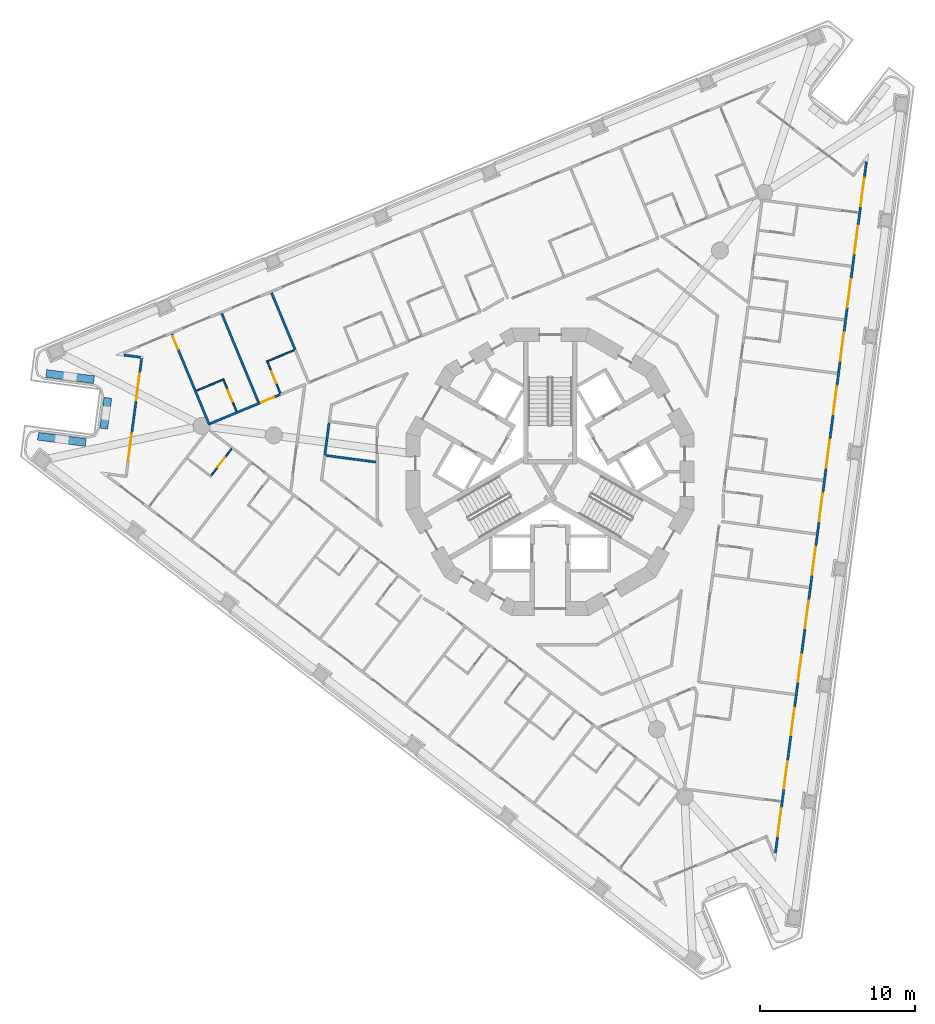
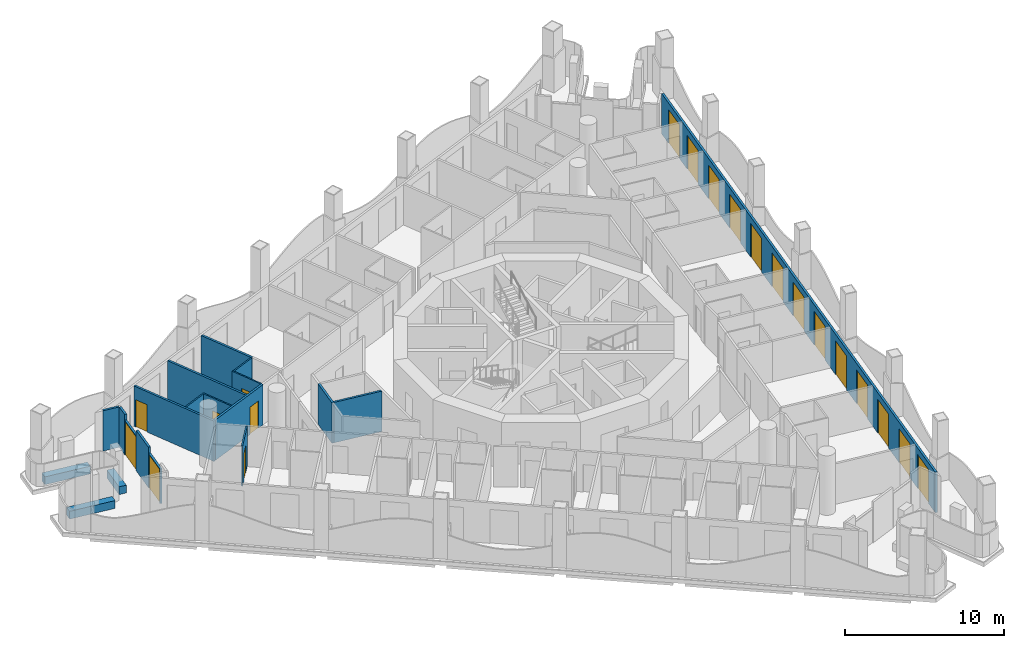
# One storey, part 6 of 17: 20 doors, 20 walls, 20 openings.
"""IFC4 building model written with IfcOpenShell, lengths in metres."""

from ifc_helpers import new_model, si_unit, direction, frame, frame_2d, origin, place, context, subcontext, project, spatial, polyline, rectangle, outline, extrude, material, layer, layer_set, type_object, element, fill, save


model = new_model("IFC4")

# Units and contexts
model_context = context("Model", 3, precision=1e-05, world=origin(), true_north=direction((0.0, 1.0)))
body_context = subcontext(model_context, "Body", "Model", "MODEL_VIEW")
ifc_project = project(units=[si_unit("LENGTHUNIT", "METRE"), si_unit("AREAUNIT", "SQUARE_METRE"), si_unit("VOLUMEUNIT", "CUBIC_METRE"), si_unit("PLANEANGLEUNIT", "RADIAN"), si_unit("MASSUNIT", "GRAM", prefix="KILO")], contexts=[model_context])

# Site, building, storey
site_placement = place(None, origin())
site = spatial("IfcSite", under=ifc_project, at=site_placement, CompositionType="ELEMENT")
building_placement = place(site_placement, origin())
building = spatial("IfcBuilding", under=site, at=building_placement, Name="Trine Commons Tower", CompositionType="ELEMENT")
storey_placement = place(building_placement, frame((0.0, 0.0, 153.0)))
storey = spatial("IfcBuildingStorey", under=building, at=storey_placement, Name="L39", CompositionType="ELEMENT", Elevation=153.0)

# Wall, opening, door
ifc_material_1 = material(Name="Aluminium-framed insulated wall panel", Category="aluminium")
ifc_layer_1 = layer(ifc_material_1, 0.14990234375)
ifc_layer_set_1 = layer_set([ifc_layer_1], Name="Aluminium-framed insulated wall panel")
wall_type_1 = type_object("IfcWallType", Name="Glazed frame wall 150, EI 60", PredefinedType="SOLIDWALL", material=ifc_layer_set_1)
wall_1_placement = place(storey_placement, frame((52.811279296875, 63.154296875, 0.0), z_axis=(0.0, 0.0, 1.0), x_axis=(0.130547578832, 0.991442045538, 0.0)))
wall_1 = element("IfcWall", 1, at=wall_1_placement, inside=storey, type_object=wall_type_1, Name="Glazed frame wall P1.2", PredefinedType="SOLIDWALL", context=body_context, shape_type="SweptSolid", body=[
    extrude(outline(polyline([(0.0, -0.074951171875), (1.89990234375, -0.074951171875), (1.89990234375, 0.074951171875), (0.0, 0.074951171875), (0.0, -0.074951171875)])), origin(), (0.0, 0.0, 1.0), 2.64990234375),
])
opening_1_placement = place(wall_1_placement, frame((0.050048828125, 0.0, 0.0)))
opening_1 = element("IfcOpeningElement", 2, at=opening_1_placement, cuts=wall_1, Name="Opening BD-4P1-01", PredefinedType="OPENING", context=body_context, shape_type="SweptSolid", body=[
    extrude(rectangle(XDim=1.800048828125, YDim=2.60009765625, at=frame_2d((0.89990234375, 1.300048828125))), frame((0.0, 0.0849609375, 0.0), z_axis=(0.0, -1.0, 0.0), x_axis=(1.0, 0.0, 0.0)), (0.0, 0.0, 1.0), 0.169921875),
])
ifc_material_2 = material(Name="Anodised aluminium frame with double glazing", Category="aluminium")
door_type_1 = type_object("IfcDoorType", Name="Sliding loggia door 1800x2600", OperationType="SLIDING_TO_LEFT", PredefinedType="DOOR", material=ifc_material_2)
door_1_placement = place(opening_1_placement, origin())
door_1 = element("IfcDoor", 3, at=door_1_placement, inside=storey, type_object=door_type_1, Name="Loggia door P1 1", OperationType="SLIDING_TO_LEFT", OverallHeight=2.60009765625, OverallWidth=1.800048828125, PredefinedType="DOOR", context=body_context, shape_type="SweptSolid", body=[
    extrude(rectangle(XDim=1.800048828125, YDim=2.60009765625, at=frame_2d((0.89990234375, 1.300048828125))), frame((0.0, 0.02490234375, 0.0), z_axis=(0.0, -1.0, 0.0), x_axis=(1.0, 0.0, 0.0)), (0.0, 0.0, 1.0), 0.050048828125),
])
fill(opening_1, door_1)

# Wall
wall_2_placement = place(storey_placement, frame((53.059326171875, 65.0380859375, 0.0), z_axis=(0.0, 0.0, 1.0), x_axis=(0.130492404742, 0.991449308994, 0.0)))
element("IfcWall", 4, at=wall_2_placement, inside=storey, type_object=wall_type_1, Name="Glazed frame wall P1.3", PredefinedType="SOLIDWALL", context=body_context, shape_type="SweptSolid", body=[
    extrude(outline(polyline([(0.0, -0.074951171875), (2.0, -0.074951171875), (2.0, 0.074951171875), (0.0, 0.074951171875), (0.0, -0.074951171875)])), origin(), (0.0, 0.0, 1.0), 3.10009765625),
])

# Wall, opening, door
wall_3_placement = place(storey_placement, frame((53.3203125, 67.02099609375, 0.0), z_axis=(0.0, 0.0, 1.0), x_axis=(0.130547578832, 0.991442045538, 0.0)))
wall_3 = element("IfcWall", 5, at=wall_3_placement, inside=storey, type_object=wall_type_1, Name="Glazed frame wall P1.4", PredefinedType="SOLIDWALL", context=body_context, shape_type="SweptSolid", body=[
    extrude(outline(polyline([(0.0, -0.074951171875), (1.89990234375, -0.074951171875), (1.89990234375, 0.074951171875), (0.0, 0.074951171875), (0.0, -0.074951171875)])), origin(), (0.0, 0.0, 1.0), 2.64990234375),
])
opening_2_placement = place(wall_3_placement, frame((0.050048828125, 0.0, 0.0)))
opening_2 = element("IfcOpeningElement", 6, at=opening_2_placement, cuts=wall_3, Name="Opening BD-4P1-02", PredefinedType="OPENING", context=body_context, shape_type="SweptSolid", body=[
    extrude(rectangle(XDim=1.800048828125, YDim=2.60009765625, at=frame_2d((0.89990234375, 1.300048828125))), frame((0.0, 0.0849609375, 0.0), z_axis=(0.0, -1.0, 0.0), x_axis=(1.0, 0.0, 0.0)), (0.0, 0.0, 1.0), 0.169921875),
])
door_2_placement = place(opening_2_placement, origin())
door_2 = element("IfcDoor", 7, at=door_2_placement, inside=storey, type_object=door_type_1, Name="Loggia door P1 2", OperationType="SLIDING_TO_LEFT", OverallHeight=2.60009765625, OverallWidth=1.800048828125, PredefinedType="DOOR", context=body_context, shape_type="SweptSolid", body=[
    extrude(rectangle(XDim=1.800048828125, YDim=2.60009765625, at=frame_2d((0.89990234375, 1.300048828125))), frame((0.0, 0.02490234375, 0.0), z_axis=(0.0, -1.0, 0.0), x_axis=(1.0, 0.0, 0.0)), (0.0, 0.0, 1.0), 0.050048828125),
])
fill(opening_2, door_2)

# Walls
wall_4_placement = place(storey_placement, frame((53.568359375, 68.90478515625, 0.0), z_axis=(0.0, 0.0, 1.0), x_axis=(0.130612392842, 0.991433509034, 0.0)))
element("IfcWall", 8, at=wall_4_placement, inside=storey, type_object=wall_type_1, Name="Glazed frame wall P1.5", PredefinedType="SOLIDWALL", context=body_context, shape_type="SweptSolid", body=[
    extrude(outline(polyline([(0.889892578125, 0.074951171875), (0.0, 0.074951171875), (0.0, -0.074951171875), (0.889892578125, -0.074951171875), (0.889892578125, 0.074951171875)])), origin(), (0.0, 0.0, 1.0), 3.10009765625),
])
wall_5_placement = place(storey_placement, frame((53.72900390625, 69.85693359375, 0.0), z_axis=(0.0, 0.0, 1.0), x_axis=(-0.991446880033, 0.130510858064, 0.0)))
element("IfcWall", 9, at=wall_5_placement, inside=storey, type_object=wall_type_1, Name="Glazed frame wall R3", PredefinedType="SOLIDWALL", context=body_context, shape_type="SweptSolid", body=[
    extrude(outline(polyline([(0.110107421875, 0.074951171875), (0.110107421875, -0.074951171875), (1.19580078125, -0.074951171875), (1.19580078125, 0.074951171875), (0.110107421875, 0.074951171875)])), origin(), (0.0, 0.0, 1.0), 3.10009765625),
])

# Wall, openings, doors
wall_6_placement = place(storey_placement, frame((100.387939453125, 82.614013671875, 0.0), z_axis=(0.0, 0.0, 1.0), x_axis=(-0.130522128443, -0.991445396372, 0.0)))
wall_6 = element("IfcWall", 10, at=wall_6_placement, inside=storey, type_object=wall_type_1, Name="Glazed frame wall F2", PredefinedType="SOLIDWALL", context=body_context, shape_type="SweptSolid", body=[
    extrude(outline(polyline([(0.1494140625, 0.074951171875), (0.1494140625, -0.074951171875), (45.056884765625, -0.074951171875), (45.056884765625, 0.074951171875), (0.1494140625, 0.074951171875)])), origin(), (0.0, 0.0, 1.0), 3.10009765625),
])
opening_3_placement = place(wall_6_placement, frame((1.23876953125, 0.0, 0.0)))
opening_3 = element("IfcOpeningElement", 11, at=opening_3_placement, cuts=wall_6, Name="Opening BD-4F2-01", PredefinedType="OPENING", context=body_context, shape_type="SweptSolid", body=[
    extrude(rectangle(XDim=1.800048828125, YDim=2.60009765625, at=frame_2d((0.89990234375, 1.300048828125))), frame((0.0, 0.0849609375, 0.0), z_axis=(0.0, -1.0, 0.0), x_axis=(1.0, 0.0, 0.0)), (0.0, 0.0, 1.0), 0.169921875),
])
opening_4_placement = place(wall_6_placement, frame((4.316162109375, 0.0, 0.0)))
opening_4 = element("IfcOpeningElement", 12, at=opening_4_placement, cuts=wall_6, Name="Opening BD-4F2-02", PredefinedType="OPENING", context=body_context, shape_type="SweptSolid", body=[
    extrude(rectangle(XDim=1.800048828125, YDim=2.60009765625, at=frame_2d((0.89990234375, 1.300048828125))), frame((0.0, 0.0849609375, 0.0), z_axis=(0.0, -1.0, 0.0), x_axis=(1.0, 0.0, 0.0)), (0.0, 0.0, 1.0), 0.169921875),
])
opening_5_placement = place(wall_6_placement, frame((7.79345703125, 0.0, 0.0)))
opening_5 = element("IfcOpeningElement", 13, at=opening_5_placement, cuts=wall_6, Name="Opening BD-4F2-03", PredefinedType="OPENING", context=body_context, shape_type="SweptSolid", body=[
    extrude(rectangle(XDim=1.800048828125, YDim=2.60009765625, at=frame_2d((0.89990234375, 1.300048828125))), frame((0.0, 0.0849609375, 0.0), z_axis=(0.0, -1.0, 0.0), x_axis=(1.0, 0.0, 0.0)), (0.0, 0.0, 1.0), 0.169921875),
])
opening_6_placement = place(wall_6_placement, frame((11.27099609375, 0.0, 0.0)))
opening_6 = element("IfcOpeningElement", 14, at=opening_6_placement, cuts=wall_6, Name="Opening BD-4F2-04", PredefinedType="OPENING", context=body_context, shape_type="SweptSolid", body=[
    extrude(rectangle(XDim=1.800048828125, YDim=2.60009765625, at=frame_2d((0.89990234375, 1.300048828125))), frame((0.0, 0.0849609375, 0.0), z_axis=(0.0, -1.0, 0.0), x_axis=(1.0, 0.0, 0.0)), (0.0, 0.0, 1.0), 0.169921875),
])
opening_7_placement = place(wall_6_placement, frame((14.748291015625, 0.0, 0.0)))
opening_7 = element("IfcOpeningElement", 15, at=opening_7_placement, cuts=wall_6, Name="Opening BD-4F2-05", PredefinedType="OPENING", context=body_context, shape_type="SweptSolid", body=[
    extrude(rectangle(XDim=1.800048828125, YDim=2.60009765625, at=frame_2d((0.89990234375, 1.300048828125))), frame((0.0, 0.0849609375, 0.0), z_axis=(0.0, -1.0, 0.0), x_axis=(1.0, 0.0, 0.0)), (0.0, 0.0, 1.0), 0.169921875),
])
opening_8_placement = place(wall_6_placement, frame((18.2255859375, 0.0, 0.0)))
opening_8 = element("IfcOpeningElement", 16, at=opening_8_placement, cuts=wall_6, Name="Opening BD-4F2-06", PredefinedType="OPENING", context=body_context, shape_type="SweptSolid", body=[
    extrude(rectangle(XDim=1.800048828125, YDim=2.60009765625, at=frame_2d((0.89990234375, 1.300048828125))), frame((0.0, 0.0849609375, 0.0), z_axis=(0.0, -1.0, 0.0), x_axis=(1.0, 0.0, 0.0)), (0.0, 0.0, 1.0), 0.169921875),
])
opening_9_placement = place(wall_6_placement, frame((21.703125, 0.0, 0.0)))
opening_9 = element("IfcOpeningElement", 17, at=opening_9_placement, cuts=wall_6, Name="Opening BD-4F2-07", PredefinedType="OPENING", context=body_context, shape_type="SweptSolid", body=[
    extrude(rectangle(XDim=1.800048828125, YDim=2.60009765625, at=frame_2d((0.89990234375, 1.300048828125))), frame((0.0, 0.0849609375, 0.0), z_axis=(0.0, -1.0, 0.0), x_axis=(1.0, 0.0, 0.0)), (0.0, 0.0, 1.0), 0.169921875),
])
opening_10_placement = place(wall_6_placement, frame((25.180419921875, 0.0, 0.0)))
opening_10 = element("IfcOpeningElement", 18, at=opening_10_placement, cuts=wall_6, Name="Opening BD-4F2-08", PredefinedType="OPENING", context=body_context, shape_type="SweptSolid", body=[
    extrude(rectangle(XDim=1.800048828125, YDim=2.60009765625, at=frame_2d((0.89990234375, 1.300048828125))), frame((0.0, 0.0849609375, 0.0), z_axis=(0.0, -1.0, 0.0), x_axis=(1.0, 0.0, 0.0)), (0.0, 0.0, 1.0), 0.169921875),
])
opening_11_placement = place(wall_6_placement, frame((28.657958984375, 0.0, 0.0)))
opening_11 = element("IfcOpeningElement", 19, at=opening_11_placement, cuts=wall_6, Name="Opening BD-4F2-09", PredefinedType="OPENING", context=body_context, shape_type="SweptSolid", body=[
    extrude(rectangle(XDim=1.800048828125, YDim=2.60009765625, at=frame_2d((0.89990234375, 1.300048828125))), frame((0.0, 0.0849609375, 0.0), z_axis=(0.0, -1.0, 0.0), x_axis=(1.0, 0.0, 0.0)), (0.0, 0.0, 1.0), 0.169921875),
])
opening_12_placement = place(wall_6_placement, frame((32.13525390625, 0.0, 0.0)))
opening_12 = element("IfcOpeningElement", 20, at=opening_12_placement, cuts=wall_6, Name="Opening BD-4F2-10", PredefinedType="OPENING", context=body_context, shape_type="SweptSolid", body=[
    extrude(rectangle(XDim=1.800048828125, YDim=2.60009765625, at=frame_2d((0.89990234375, 1.300048828125))), frame((0.0, 0.0849609375, 0.0), z_axis=(0.0, -1.0, 0.0), x_axis=(1.0, 0.0, 0.0)), (0.0, 0.0, 1.0), 0.169921875),
])
opening_13_placement = place(wall_6_placement, frame((35.61279296875, 0.0, 0.0)))
opening_13 = element("IfcOpeningElement", 21, at=opening_13_placement, cuts=wall_6, Name="Opening BD-4F2-11", PredefinedType="OPENING", context=body_context, shape_type="SweptSolid", body=[
    extrude(rectangle(XDim=1.800048828125, YDim=2.60009765625, at=frame_2d((0.89990234375, 1.300048828125))), frame((0.0, 0.0849609375, 0.0), z_axis=(0.0, -1.0, 0.0), x_axis=(1.0, 0.0, 0.0)), (0.0, 0.0, 1.0), 0.169921875),
])
opening_14_placement = place(wall_6_placement, frame((39.090087890625, 0.0, 0.0)))
opening_14 = element("IfcOpeningElement", 22, at=opening_14_placement, cuts=wall_6, Name="Opening BD-4F2-12", PredefinedType="OPENING", context=body_context, shape_type="SweptSolid", body=[
    extrude(rectangle(XDim=1.800048828125, YDim=2.60009765625, at=frame_2d((0.89990234375, 1.300048828125))), frame((0.0, 0.0849609375, 0.0), z_axis=(0.0, -1.0, 0.0), x_axis=(1.0, 0.0, 0.0)), (0.0, 0.0, 1.0), 0.169921875),
])
opening_15_placement = place(wall_6_placement, frame((42.16748046875, 0.0, 0.0)))
opening_15 = element("IfcOpeningElement", 23, at=opening_15_placement, cuts=wall_6, Name="Opening BD-4F2-13", PredefinedType="OPENING", context=body_context, shape_type="SweptSolid", body=[
    extrude(rectangle(XDim=1.800048828125, YDim=2.60009765625, at=frame_2d((0.89990234375, 1.300048828125))), frame((0.0, 0.0849609375, 0.0), z_axis=(0.0, -1.0, 0.0), x_axis=(1.0, 0.0, 0.0)), (0.0, 0.0, 1.0), 0.169921875),
])
door_3_placement = place(opening_3_placement, origin())
door_3 = element("IfcDoor", 24, at=door_3_placement, inside=storey, type_object=door_type_1, Name="Loggia door F2 1", OperationType="SLIDING_TO_LEFT", OverallHeight=2.60009765625, OverallWidth=1.800048828125, PredefinedType="DOOR", context=body_context, shape_type="SweptSolid", body=[
    extrude(rectangle(XDim=1.800048828125, YDim=2.60009765625, at=frame_2d((0.89990234375, 1.300048828125))), frame((0.0, 0.02490234375, 0.0), z_axis=(0.0, -1.0, 0.0), x_axis=(1.0, 0.0, 0.0)), (0.0, 0.0, 1.0), 0.050048828125),
])
fill(opening_3, door_3)
door_4_placement = place(opening_4_placement, origin())
door_4 = element("IfcDoor", 25, at=door_4_placement, inside=storey, type_object=door_type_1, Name="Loggia door F2 2", OperationType="SLIDING_TO_LEFT", OverallHeight=2.60009765625, OverallWidth=1.800048828125, PredefinedType="DOOR", context=body_context, shape_type="SweptSolid", body=[
    extrude(rectangle(XDim=1.800048828125, YDim=2.60009765625, at=frame_2d((0.89990234375, 1.300048828125))), frame((0.0, 0.02490234375, 0.0), z_axis=(0.0, -1.0, 0.0), x_axis=(1.0, 0.0, 0.0)), (0.0, 0.0, 1.0), 0.050048828125),
])
fill(opening_4, door_4)
door_5_placement = place(opening_5_placement, origin())
door_5 = element("IfcDoor", 26, at=door_5_placement, inside=storey, type_object=door_type_1, Name="Loggia door F2 3", OperationType="SLIDING_TO_LEFT", OverallHeight=2.60009765625, OverallWidth=1.800048828125, PredefinedType="DOOR", context=body_context, shape_type="SweptSolid", body=[
    extrude(rectangle(XDim=1.800048828125, YDim=2.60009765625, at=frame_2d((0.89990234375, 1.300048828125))), frame((0.0, 0.02490234375, 0.0), z_axis=(0.0, -1.0, 0.0), x_axis=(1.0, 0.0, 0.0)), (0.0, 0.0, 1.0), 0.050048828125),
])
fill(opening_5, door_5)
door_6_placement = place(opening_6_placement, origin())
door_6 = element("IfcDoor", 27, at=door_6_placement, inside=storey, type_object=door_type_1, Name="Loggia door F2 4", OperationType="SLIDING_TO_LEFT", OverallHeight=2.60009765625, OverallWidth=1.800048828125, PredefinedType="DOOR", context=body_context, shape_type="SweptSolid", body=[
    extrude(rectangle(XDim=1.800048828125, YDim=2.60009765625, at=frame_2d((0.89990234375, 1.300048828125))), frame((0.0, 0.02490234375, 0.0), z_axis=(0.0, -1.0, 0.0), x_axis=(1.0, 0.0, 0.0)), (0.0, 0.0, 1.0), 0.050048828125),
])
fill(opening_6, door_6)
door_7_placement = place(opening_7_placement, origin())
door_7 = element("IfcDoor", 28, at=door_7_placement, inside=storey, type_object=door_type_1, Name="Loggia door F2 5", OperationType="SLIDING_TO_LEFT", OverallHeight=2.60009765625, OverallWidth=1.800048828125, PredefinedType="DOOR", context=body_context, shape_type="SweptSolid", body=[
    extrude(rectangle(XDim=1.800048828125, YDim=2.60009765625, at=frame_2d((0.89990234375, 1.300048828125))), frame((0.0, 0.02490234375, 0.0), z_axis=(0.0, -1.0, 0.0), x_axis=(1.0, 0.0, 0.0)), (0.0, 0.0, 1.0), 0.050048828125),
])
fill(opening_7, door_7)
door_8_placement = place(opening_8_placement, origin())
door_8 = element("IfcDoor", 29, at=door_8_placement, inside=storey, type_object=door_type_1, Name="Loggia door F2 6", OperationType="SLIDING_TO_LEFT", OverallHeight=2.60009765625, OverallWidth=1.800048828125, PredefinedType="DOOR", context=body_context, shape_type="SweptSolid", body=[
    extrude(rectangle(XDim=1.800048828125, YDim=2.60009765625, at=frame_2d((0.89990234375, 1.300048828125))), frame((0.0, 0.02490234375, 0.0), z_axis=(0.0, -1.0, 0.0), x_axis=(1.0, 0.0, 0.0)), (0.0, 0.0, 1.0), 0.050048828125),
])
fill(opening_8, door_8)
door_9_placement = place(opening_9_placement, origin())
door_9 = element("IfcDoor", 30, at=door_9_placement, inside=storey, type_object=door_type_1, Name="Loggia door F2 7", OperationType="SLIDING_TO_LEFT", OverallHeight=2.60009765625, OverallWidth=1.800048828125, PredefinedType="DOOR", context=body_context, shape_type="SweptSolid", body=[
    extrude(rectangle(XDim=1.800048828125, YDim=2.60009765625, at=frame_2d((0.89990234375, 1.300048828125))), frame((0.0, 0.02490234375, 0.0), z_axis=(0.0, -1.0, 0.0), x_axis=(1.0, 0.0, 0.0)), (0.0, 0.0, 1.0), 0.050048828125),
])
fill(opening_9, door_9)
door_10_placement = place(opening_10_placement, origin())
door_10 = element("IfcDoor", 31, at=door_10_placement, inside=storey, type_object=door_type_1, Name="Loggia door F2 8", OperationType="SLIDING_TO_LEFT", OverallHeight=2.60009765625, OverallWidth=1.800048828125, PredefinedType="DOOR", context=body_context, shape_type="SweptSolid", body=[
    extrude(rectangle(XDim=1.800048828125, YDim=2.60009765625, at=frame_2d((0.89990234375, 1.300048828125))), frame((0.0, 0.02490234375, 0.0), z_axis=(0.0, -1.0, 0.0), x_axis=(1.0, 0.0, 0.0)), (0.0, 0.0, 1.0), 0.050048828125),
])
fill(opening_10, door_10)
door_11_placement = place(opening_11_placement, origin())
door_11 = element("IfcDoor", 32, at=door_11_placement, inside=storey, type_object=door_type_1, Name="Loggia door F2 9", OperationType="SLIDING_TO_LEFT", OverallHeight=2.60009765625, OverallWidth=1.800048828125, PredefinedType="DOOR", context=body_context, shape_type="SweptSolid", body=[
    extrude(rectangle(XDim=1.800048828125, YDim=2.60009765625, at=frame_2d((0.89990234375, 1.300048828125))), frame((0.0, 0.02490234375, 0.0), z_axis=(0.0, -1.0, 0.0), x_axis=(1.0, 0.0, 0.0)), (0.0, 0.0, 1.0), 0.050048828125),
])
fill(opening_11, door_11)
door_12_placement = place(opening_12_placement, origin())
door_12 = element("IfcDoor", 33, at=door_12_placement, inside=storey, type_object=door_type_1, Name="Loggia door F2 10", OperationType="SLIDING_TO_LEFT", OverallHeight=2.60009765625, OverallWidth=1.800048828125, PredefinedType="DOOR", context=body_context, shape_type="SweptSolid", body=[
    extrude(rectangle(XDim=1.800048828125, YDim=2.60009765625, at=frame_2d((0.89990234375, 1.300048828125))), frame((0.0, 0.02490234375, 0.0), z_axis=(0.0, -1.0, 0.0), x_axis=(1.0, 0.0, 0.0)), (0.0, 0.0, 1.0), 0.050048828125),
])
fill(opening_12, door_12)
door_13_placement = place(opening_13_placement, origin())
door_13 = element("IfcDoor", 34, at=door_13_placement, inside=storey, type_object=door_type_1, Name="Loggia door F2 11", OperationType="SLIDING_TO_LEFT", OverallHeight=2.60009765625, OverallWidth=1.800048828125, PredefinedType="DOOR", context=body_context, shape_type="SweptSolid", body=[
    extrude(rectangle(XDim=1.800048828125, YDim=2.60009765625, at=frame_2d((0.89990234375, 1.300048828125))), frame((0.0, 0.02490234375, 0.0), z_axis=(0.0, -1.0, 0.0), x_axis=(1.0, 0.0, 0.0)), (0.0, 0.0, 1.0), 0.050048828125),
])
fill(opening_13, door_13)
door_14_placement = place(opening_14_placement, origin())
door_14 = element("IfcDoor", 35, at=door_14_placement, inside=storey, type_object=door_type_1, Name="Loggia door F2 12", OperationType="SLIDING_TO_LEFT", OverallHeight=2.60009765625, OverallWidth=1.800048828125, PredefinedType="DOOR", context=body_context, shape_type="SweptSolid", body=[
    extrude(rectangle(XDim=1.800048828125, YDim=2.60009765625, at=frame_2d((0.89990234375, 1.300048828125))), frame((0.0, 0.02490234375, 0.0), z_axis=(0.0, -1.0, 0.0), x_axis=(1.0, 0.0, 0.0)), (0.0, 0.0, 1.0), 0.050048828125),
])
fill(opening_14, door_14)
door_15_placement = place(opening_15_placement, origin())
door_15 = element("IfcDoor", 36, at=door_15_placement, inside=storey, type_object=door_type_1, Name="Loggia door F2 13", OperationType="SLIDING_TO_LEFT", OverallHeight=2.60009765625, OverallWidth=1.800048828125, PredefinedType="DOOR", context=body_context, shape_type="SweptSolid", body=[
    extrude(rectangle(XDim=1.800048828125, YDim=2.60009765625, at=frame_2d((0.89990234375, 1.300048828125))), frame((0.0, 0.02490234375, 0.0), z_axis=(0.0, -1.0, 0.0), x_axis=(1.0, 0.0, 0.0)), (0.0, 0.0, 1.0), 0.050048828125),
])
fill(opening_15, door_15)

# Walls
ifc_material_3 = material(Name="Planter trough, precast concrete C40/50", Category="concrete")
ifc_layer_2 = layer(ifc_material_3, 0.5)
ifc_layer_set_2 = layer_set([ifc_layer_2], Name="Planter trough, precast concrete C40/50")
wall_type_2 = type_object("IfcWallType", Name="Planter trough 500x600", PredefinedType="PARAPET", material=ifc_layer_set_2)
wall_7_placement = place(storey_placement, frame((47.009765625, 64.78564453125, 0.0), z_axis=(0.0, 0.0, 1.0), x_axis=(0.991448665422, -0.130497294353, 0.0)))
element("IfcWall", 37, at=wall_7_placement, inside=storey, type_object=wall_type_2, Name="Planter 1", PredefinedType="PARAPET", context=body_context, shape_type="SweptSolid", body=[
    extrude(rectangle(XDim=3.10009765625, YDim=0.5, at=frame_2d((1.550048828125, 0.0))), origin(), (0.0, 0.0, 1.0), 0.60009765625),
])
wall_8_placement = place(storey_placement, frame((51.25, 65.2763671875, 0.0), z_axis=(0.0, 0.0, 1.0), x_axis=(0.130492404742, 0.991449308994, 0.0)))
element("IfcWall", 38, at=wall_8_placement, inside=storey, type_object=wall_type_2, Name="Planter 2", PredefinedType="PARAPET", context=body_context, shape_type="SweptSolid", body=[
    extrude(rectangle(XDim=2.0, YDim=0.5, at=frame_2d((1.0, 0.0))), origin(), (0.0, 0.0, 1.0), 0.60009765625),
])
wall_9_placement = place(storey_placement, frame((50.615478515625, 68.426025390625, 0.0), z_axis=(0.0, 0.0, 1.0), x_axis=(-0.991437130155, 0.130584903225, 0.0)))
element("IfcWall", 39, at=wall_9_placement, inside=storey, type_object=wall_type_2, Name="Planter 3", PredefinedType="PARAPET", context=body_context, shape_type="SweptSolid", body=[
    extrude(rectangle(XDim=3.099853515625, YDim=0.5, at=frame_2d((1.5498046875, 0.0))), origin(), (0.0, 0.0, 1.0), 0.60009765625),
])

# Wall, opening, door
ifc_material_4 = material(Name="Gypsum plasterboard on steel stud", Category="steel")
ifc_layer_3 = layer(ifc_material_4, 0.14990234375)
ifc_layer_set_3 = layer_set([ifc_layer_3], Name="Gypsum plasterboard on steel stud")
wall_type_3 = type_object("IfcWallType", Name="Unit and corridor wall 150 mm, EI 60", PredefinedType="PARTITIONING", material=ifc_layer_set_3)
wall_10_placement = place(storey_placement, frame((55.62841796875, 71.361083984375, 0.0), z_axis=(0.0, 0.0, 1.0), x_axis=(0.38260330851, -0.923912716828, 0.0)))
wall_10 = element("IfcWall", 40, at=wall_10_placement, inside=storey, type_object=wall_type_3, Name="Partition 002", PredefinedType="PARTITIONING", context=body_context, shape_type="SweptSolid", body=[
    extrude(rectangle(XDim=6.343994140625, YDim=0.14990234375, at=frame_2d((3.171875, 0.0))), origin(), (0.0, 0.0, 1.0), 3.10009765625),
])
opening_16_placement = place(wall_10_placement, frame((0.14990234375, 0.0, 0.0)))
opening_16 = element("IfcOpeningElement", 41, at=opening_16_placement, cuts=wall_10, Name="Opening D-4C05", PredefinedType="OPENING", context=body_context, shape_type="SweptSolid", body=[
    extrude(rectangle(XDim=0.89990234375, YDim=2.10009765625, at=frame_2d((0.449951171875, 1.050048828125))), frame((0.0, 0.0849609375, 0.0), z_axis=(0.0, -1.0, 0.0), x_axis=(1.0, 0.0, 0.0)), (0.0, 0.0, 1.0), 0.169921875),
])
ifc_material_5 = material(Name="Timber fire door set", Category="wood")
door_type_2 = type_object("IfcDoorType", Name="Bedroom door 900 x 2100, FD30S", OperationType="NOTDEFINED", PredefinedType="DOOR", material=ifc_material_5)
door_16_placement = place(opening_16_placement, origin())
door_16 = element("IfcDoor", 42, at=door_16_placement, inside=storey, type_object=door_type_2, Name="Door D-4C05", OperationType="SINGLE_SWING_LEFT", OverallHeight=2.10009765625, OverallWidth=0.89990234375, PredefinedType="DOOR", context=body_context, shape_type="SweptSolid", body=[
    extrude(rectangle(XDim=0.89990234375, YDim=2.10009765625, at=frame_2d((0.449951171875, 1.050048828125))), frame((0.0, 0.02490234375, 0.0), z_axis=(0.0, -1.0, 0.0), x_axis=(1.0, 0.0, 0.0)), (0.0, 0.0, 1.0), 0.050048828125),
])
fill(opening_16, door_16)

wall_11_placement = place(storey_placement, frame((58.09619140625, 65.59765625, 0.0), z_axis=(0.0, 0.0, 1.0), x_axis=(0.923872707651, 0.382699908621, 0.0)))
wall_11 = element("IfcWall", 43, at=wall_11_placement, inside=storey, type_object=wall_type_3, Name="Partition 007", PredefinedType="PARTITIONING", context=body_context, shape_type="SweptSolid", body=[
    extrude(rectangle(XDim=4.9345703125, YDim=0.14990234375, at=frame_2d((2.46728515625, 0.0))), origin(), (0.0, 0.0, 1.0), 3.10009765625),
])
opening_17_placement = place(wall_11_placement, frame((3.552734375, 0.0, 0.0)))
opening_17 = element("IfcOpeningElement", 44, at=opening_17_placement, cuts=wall_11, Name="Opening D-4C06", PredefinedType="OPENING", context=body_context, shape_type="SweptSolid", body=[
    extrude(rectangle(XDim=0.89990234375, YDim=2.10009765625, at=frame_2d((0.449951171875, 1.050048828125))), frame((0.0, 0.0849609375, 0.0), z_axis=(0.0, -1.0, 0.0), x_axis=(1.0, 0.0, 0.0)), (0.0, 0.0, 1.0), 0.169921875),
])
door_17_placement = place(opening_17_placement, origin())
door_17 = element("IfcDoor", 45, at=door_17_placement, inside=storey, type_object=door_type_2, Name="Door D-4C06", OperationType="SINGLE_SWING_RIGHT", OverallHeight=2.10009765625, OverallWidth=0.89990234375, PredefinedType="DOOR", context=body_context, shape_type="SweptSolid", body=[
    extrude(rectangle(XDim=0.89990234375, YDim=2.10009765625, at=frame_2d((0.449951171875, 1.050048828125))), frame((0.0, 0.02490234375, 0.0), z_axis=(0.0, -1.0, 0.0), x_axis=(1.0, 0.0, 0.0)), (0.0, 0.0, 1.0), 0.050048828125),
])
fill(opening_17, door_17)

# Walls
wall_12_placement = place(storey_placement, frame((58.84130859375, 72.69189453125, 0.0), z_axis=(0.0, 0.0, 1.0), x_axis=(0.382610562407, -0.923909712869, 0.0)))
element("IfcWall", 46, at=wall_12_placement, inside=storey, type_object=wall_type_3, Name="Partition 009", PredefinedType="PARTITIONING", context=body_context, shape_type="SweptSolid", body=[
    extrude(rectangle(XDim=6.19384765625, YDim=0.14990234375, at=frame_2d((3.096923828125, 0.0))), origin(), (0.0, 0.0, 1.0), 3.10009765625),
])
wall_13_placement = place(storey_placement, frame((62.05322265625, 74.02197265625, 0.0), z_axis=(0.0, 0.0, 1.0), x_axis=(0.382954845834, -0.923767062658, 0.0)))
element("IfcWall", 47, at=wall_13_placement, inside=storey, type_object=wall_type_3, Name="Partition 016", PredefinedType="PARTITIONING", context=body_context, shape_type="SweptSolid", body=[
    extrude(rectangle(XDim=3.968505859375, YDim=0.14990234375, at=frame_2d((1.984375, 0.0))), origin(), (0.0, 0.0, 1.0), 3.10009765625),
])
wall_14_placement = place(storey_placement, frame((65.47314453125, 63.4755859375, 0.0), z_axis=(0.0, 0.0, 1.0), x_axis=(0.130468344309, 0.991452475479, 0.0)))
element("IfcWall", 48, at=wall_14_placement, inside=storey, type_object=wall_type_3, Name="Partition 030", PredefinedType="PARTITIONING", context=body_context, shape_type="SweptSolid", body=[
    extrude(rectangle(XDim=2.282958984375, YDim=0.14990234375, at=frame_2d((1.1416015625, 0.0))), origin(), (0.0, 0.0, 1.0), 3.10009765625),
])
wall_15_placement = place(storey_placement, frame((65.558349609375, 63.544189453125, 0.0), z_axis=(0.0, 0.0, 1.0), x_axis=(0.991425096487, -0.13067623371, 0.0)))
element("IfcWall", 49, at=wall_15_placement, inside=storey, type_object=wall_type_3, Name="Partition 031", PredefinedType="PARTITIONING", context=body_context, shape_type="SweptSolid", body=[
    extrude(rectangle(XDim=3.2470703125, YDim=0.14990234375, at=frame_2d((1.62353515625, 0.0))), origin(), (0.0, 0.0, 1.0), 3.10009765625),
])
ifc_layer_4 = layer(ifc_material_4, 0.10009765625)
ifc_layer_set_4 = layer_set([ifc_layer_4], Name="Gypsum plasterboard on steel stud")
wall_type_4 = type_object("IfcWallType", Name="Unit partition 100 mm, no rating", PredefinedType="PARTITIONING", material=ifc_layer_set_4)
wall_16_placement = place(storey_placement, frame((57.21630859375, 67.72265625, 0.0), z_axis=(0.0, 0.0, 1.0), x_axis=(0.923967386518, 0.38247126513, 0.0)))
element("IfcWall", 50, at=wall_16_placement, inside=storey, type_object=wall_type_4, Name="Partition 005", PredefinedType="PARTITIONING", context=body_context, shape_type="SweptSolid", body=[
    extrude(rectangle(XDim=1.92529296875, YDim=0.10009765625, at=frame_2d((0.962646484375, 0.0))), origin(), (0.0, 0.0, 1.0), 3.10009765625),
])

# Wall, opening, door
wall_17_placement = place(storey_placement, frame((58.158447265625, 62.250732421875, 0.0), z_axis=(0.0, 0.0, 1.0), x_axis=(0.609173579823, 0.793036915689, 0.0)))
wall_17 = element("IfcWall", 51, at=wall_17_placement, inside=storey, type_object=wall_type_4, Name="Partition 008", PredefinedType="PARTITIONING", context=body_context, shape_type="SweptSolid", body=[
    extrude(rectangle(XDim=2.175048828125, YDim=0.10009765625, at=frame_2d((1.08740234375, 0.0))), origin(), (0.0, 0.0, 1.0), 3.10009765625),
])
opening_18_placement = place(wall_17_placement, frame((0.6875, 0.0, 0.0)))
opening_18 = element("IfcOpeningElement", 52, at=opening_18_placement, cuts=wall_17, Name="Opening D-4C61", PredefinedType="OPENING", context=body_context, shape_type="SweptSolid", body=[
    extrude(rectangle(XDim=0.800048828125, YDim=2.10009765625, at=frame_2d((0.39990234375, 1.050048828125))), frame((0.0, 0.06005859375, 0.0), z_axis=(0.0, -1.0, 0.0), x_axis=(1.0, 0.0, 0.0)), (0.0, 0.0, 1.0), 0.1201171875),
])
ifc_material_6 = material(Name="Painted timber", Category="wood")
door_type_3 = type_object("IfcDoorType", Name="Internal door 800 x 2100, NOT RATED", OperationType="NOTDEFINED", PredefinedType="DOOR", material=ifc_material_6)
door_18_placement = place(opening_18_placement, frame((0.800048828125, 0.0, 0.0), z_axis=(0.0, 0.0, 1.0), x_axis=(-1.0, 0.0, 0.0)))
door_18 = element("IfcDoor", 53, at=door_18_placement, inside=storey, type_object=door_type_3, Name="Door D-4C61", OperationType="SINGLE_SWING_LEFT", OverallHeight=2.10009765625, OverallWidth=0.800048828125, PredefinedType="DOOR", context=body_context, shape_type="SweptSolid", body=[
    extrude(rectangle(XDim=0.800048828125, YDim=2.10009765625, at=frame_2d((0.39990234375, 1.050048828125))), frame((0.0, 0.02490234375, 0.0), z_axis=(0.0, -1.0, 0.0), x_axis=(1.0, 0.0, 0.0)), (0.0, 0.0, 1.0), 0.050048828125),
])
fill(opening_18, door_18)

wall_18_placement = place(storey_placement, frame((58.968017578125, 68.393798828125, 0.0), z_axis=(0.0, 0.0, 1.0), x_axis=(0.382645891508, -0.92389508155, 0.0)))
wall_18 = element("IfcWall", 54, at=wall_18_placement, inside=storey, type_object=wall_type_4, Name="Partition 010", PredefinedType="PARTITIONING", context=body_context, shape_type="SweptSolid", body=[
    extrude(rectangle(XDim=2.175048828125, YDim=0.10009765625, at=frame_2d((1.08740234375, 0.0))), origin(), (0.0, 0.0, 1.0), 3.10009765625),
])
opening_19_placement = place(wall_18_placement, frame((0.6875, 0.0, 0.0)))
opening_19 = element("IfcOpeningElement", 55, at=opening_19_placement, cuts=wall_18, Name="Opening D-4C38", PredefinedType="OPENING", context=body_context, shape_type="SweptSolid", body=[
    extrude(rectangle(XDim=0.800048828125, YDim=2.10009765625, at=frame_2d((0.39990234375, 1.050048828125))), frame((0.0, 0.06005859375, 0.0), z_axis=(0.0, -1.0, 0.0), x_axis=(1.0, 0.0, 0.0)), (0.0, 0.0, 1.0), 0.1201171875),
])
door_19_placement = place(opening_19_placement, origin())
door_19 = element("IfcDoor", 56, at=door_19_placement, inside=storey, type_object=door_type_3, Name="Door D-4C38", OperationType="SINGLE_SWING_RIGHT", OverallHeight=2.10009765625, OverallWidth=0.800048828125, PredefinedType="DOOR", context=body_context, shape_type="SweptSolid", body=[
    extrude(rectangle(XDim=0.800048828125, YDim=2.10009765625, at=frame_2d((0.39990234375, 1.050048828125))), frame((0.0, 0.02490234375, 0.0), z_axis=(0.0, -1.0, 0.0), x_axis=(1.0, 0.0, 0.0)), (0.0, 0.0, 1.0), 0.050048828125),
])
fill(opening_19, door_19)

wall_19_placement = place(storey_placement, frame((61.751953125, 69.6552734375, 0.0), z_axis=(0.0, 0.0, 1.0), x_axis=(0.382557141415, -0.923931833824, 0.0)))
wall_19 = element("IfcWall", 57, at=wall_19_placement, inside=storey, type_object=wall_type_4, Name="Partition 014", PredefinedType="PARTITIONING", context=body_context, shape_type="SweptSolid", body=[
    extrude(rectangle(XDim=2.275146484375, YDim=0.10009765625, at=frame_2d((1.1376953125, 0.0))), origin(), (0.0, 0.0, 1.0), 3.10009765625),
])
opening_20_placement = place(wall_19_placement, frame((0.7626953125, 0.0, 0.0)))
opening_20 = element("IfcOpeningElement", 58, at=opening_20_placement, cuts=wall_19, Name="Opening D-4C39", PredefinedType="OPENING", context=body_context, shape_type="SweptSolid", body=[
    extrude(rectangle(XDim=0.800048828125, YDim=2.10009765625, at=frame_2d((0.39990234375, 1.050048828125))), frame((0.0, 0.06005859375, 0.0), z_axis=(0.0, -1.0, 0.0), x_axis=(1.0, 0.0, 0.0)), (0.0, 0.0, 1.0), 0.1201171875),
])
door_20_placement = place(opening_20_placement, frame((0.800048828125, 0.0, 0.0), z_axis=(0.0, 0.0, 1.0), x_axis=(-1.0, 0.0, 0.0)))
door_20 = element("IfcDoor", 59, at=door_20_placement, inside=storey, type_object=door_type_3, Name="Door D-4C39", OperationType="SINGLE_SWING_LEFT", OverallHeight=2.10009765625, OverallWidth=0.800048828125, PredefinedType="DOOR", context=body_context, shape_type="SweptSolid", body=[
    extrude(rectangle(XDim=0.800048828125, YDim=2.10009765625, at=frame_2d((0.39990234375, 1.050048828125))), frame((0.0, 0.02490234375, 0.0), z_axis=(0.0, -1.0, 0.0), x_axis=(1.0, 0.0, 0.0)), (0.0, 0.0, 1.0), 0.050048828125),
])
fill(opening_20, door_20)

# Wall
wall_20_placement = place(storey_placement, frame((61.817138671875, 69.628173828125, 0.0), z_axis=(0.0, 0.0, 1.0), x_axis=(0.923755960388, 0.382981625731, 0.0)))
element("IfcWall", 60, at=wall_20_placement, inside=storey, type_object=wall_type_4, Name="Partition 015", PredefinedType="PARTITIONING", context=body_context, shape_type="SweptSolid", body=[
    extrude(rectangle(XDim=1.82568359375, YDim=0.10009765625, at=frame_2d((0.912841796875, 0.0))), origin(), (0.0, 0.0, 1.0), 3.10009765625),
])

save(model, "model.ifc")
